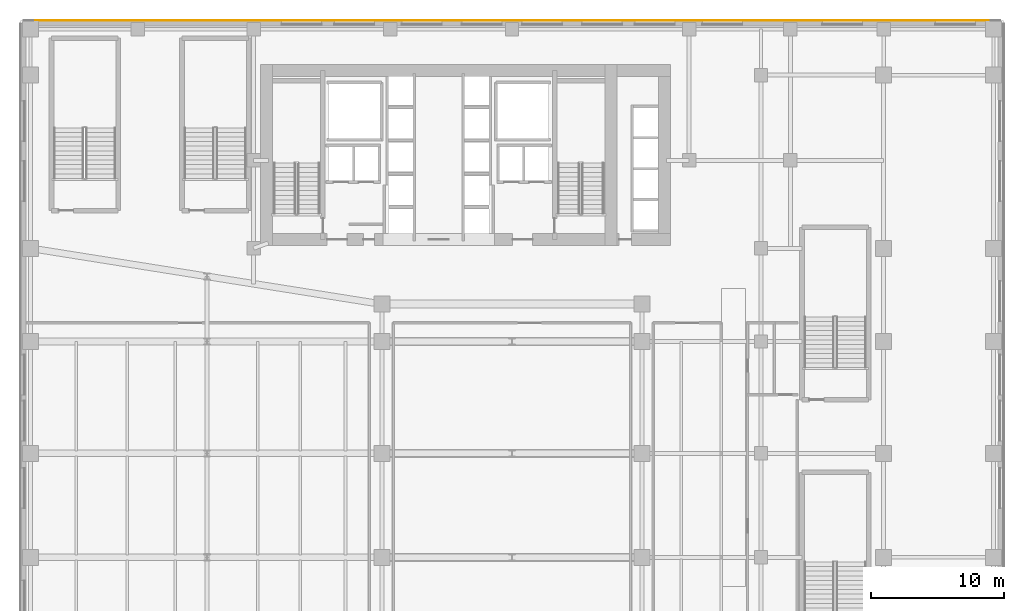
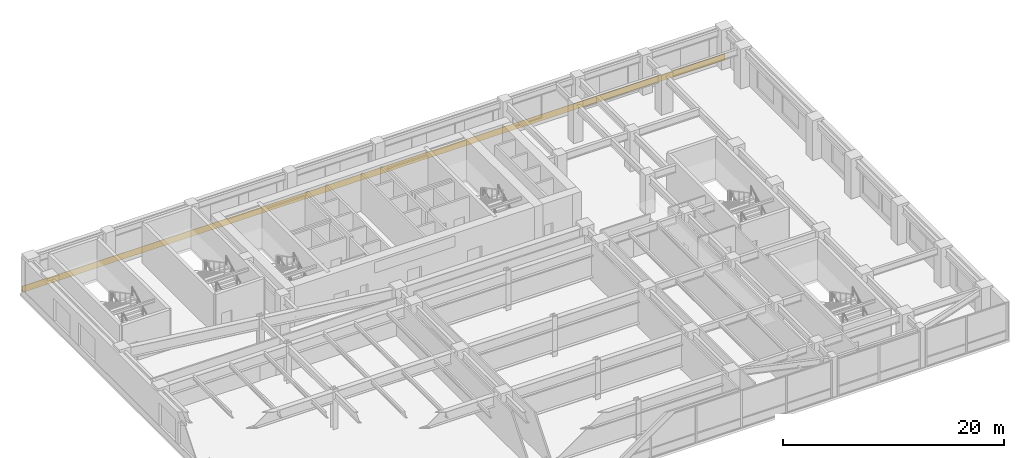
# One storey, part 26 of 27: 1 covering.
"""IFC4 building model written with IfcOpenShell, lengths in metres."""

from ifc_helpers import new_model, si_unit, direction, frame, origin, place, context, subcontext, project, spatial, polyline, outline, extrude, material, layer, layer_set, type_object, element, save


model = new_model("IFC4")

# Units and contexts
model_context = context("Model", 3, precision=1e-05, world=origin(), true_north=direction((0.0, 1.0)))
body_context = subcontext(model_context, "Body", "Model", "MODEL_VIEW")
ifc_project = project(units=[si_unit("LENGTHUNIT", "METRE"), si_unit("AREAUNIT", "SQUARE_METRE"), si_unit("VOLUMEUNIT", "CUBIC_METRE"), si_unit("PLANEANGLEUNIT", "RADIAN"), si_unit("MASSUNIT", "GRAM", prefix="KILO")], contexts=[model_context])

# Site, building, storey
site_placement = place(None, origin())
site = spatial("IfcSite", under=ifc_project, at=site_placement, CompositionType="ELEMENT")
building_placement = place(site_placement, origin())
building = spatial("IfcBuilding", under=site, at=building_placement, Name="Tolvann Quenvar Hotel", CompositionType="ELEMENT")
storey_placement = place(building_placement, frame((0.0, 0.0, 22.39990234375)))
storey = spatial("IfcBuildingStorey", under=building, at=storey_placement, Name="L04", CompositionType="ELEMENT", Elevation=22.39990234375)

# Covering
ifc_material = material(Name="Moulded buff architectural terracotta spandrel cladding", Category="masonry")
ifc_layer = layer(ifc_material, 0.0400390625)
ifc_layer_set = layer_set([ifc_layer], Name="Moulded buff architectural terracotta spandrel cladding")
covering_type = type_object("IfcCoveringType", Name="COV_CLAD_TERRA_40", PredefinedType="CLADDING", material=ifc_layer_set)
covering_placement = place(storey_placement, origin())
element("IfcCovering", 1, at=covering_placement, inside=storey, type_object=covering_type, Name="Terracotta Spandrel Cladding (L04-E02)", PredefinedType="CLADDING", context=body_context, shape_type="SweptSolid", body=[
    extrude(outline(polyline([(65.14990234375, 48.5), (-8.14990234375, 48.5), (-8.14990234375, 48.5400390625), (65.14990234375, 48.5400390625), (65.14990234375, 48.5)])), origin(), (0.0, 0.0, 1.0), 0.7001953125),
])

save(model, "model.ifc")
